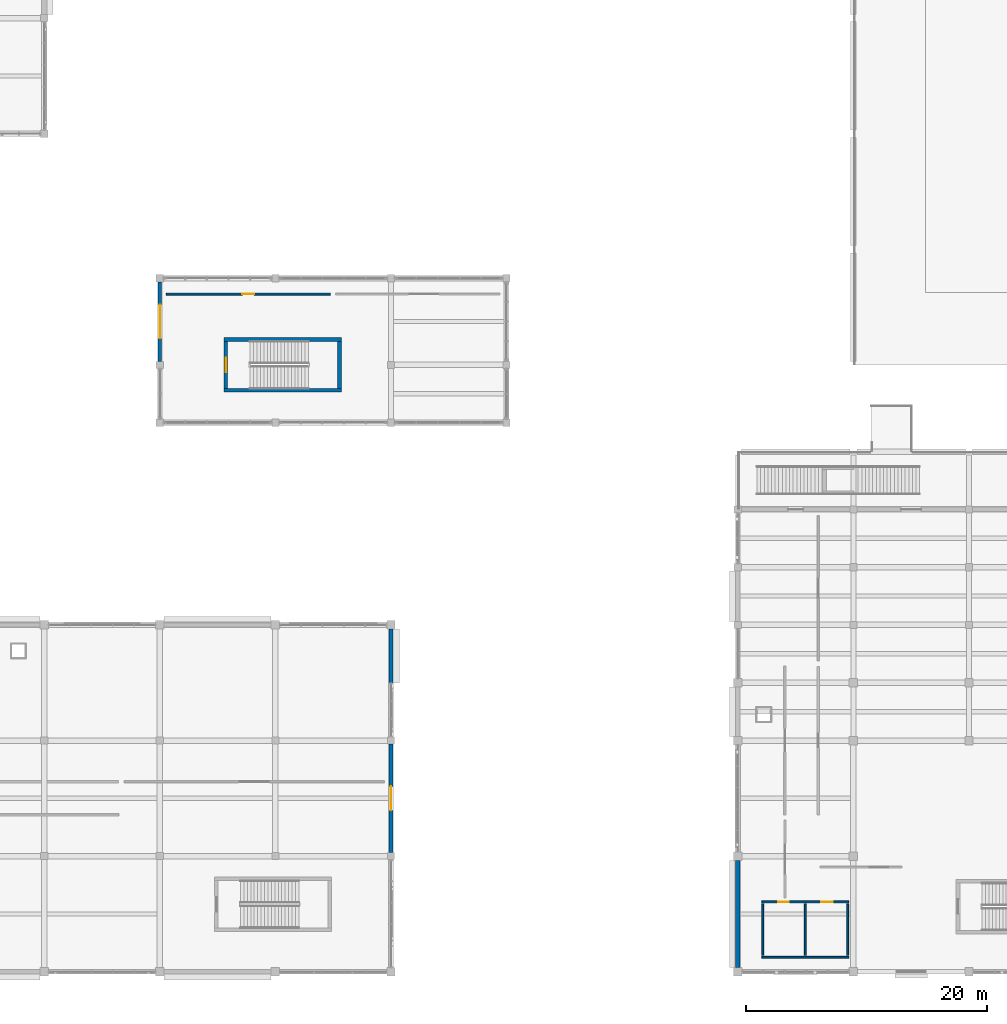
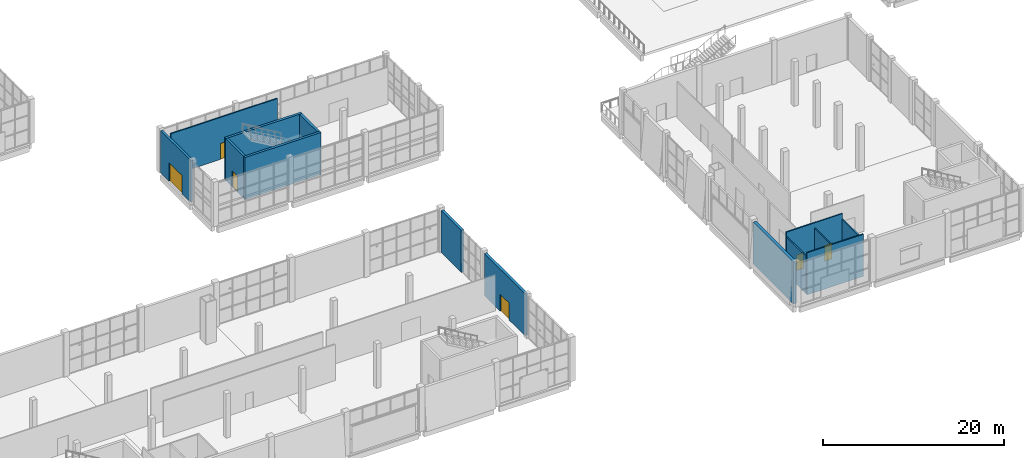
# One storey, part 54 of 84: 14 walls, 6 doors, 6 openings.
"""IFC4 building model written with IfcOpenShell, lengths in metres."""

from ifc_helpers import new_model, si_unit, direction, frame, frame_2d, origin, place, context, subcontext, project, spatial, rectangle, extrude, material, layer, layer_set, type_object, element, fill, save


model = new_model("IFC4")

# Units and contexts
model_context = context("Model", 3, precision=1e-05, world=origin(), true_north=direction((0.0, 1.0)))
body_context = subcontext(model_context, "Body", "Model", "MODEL_VIEW")
ifc_project = project(units=[si_unit("LENGTHUNIT", "METRE"), si_unit("AREAUNIT", "SQUARE_METRE"), si_unit("VOLUMEUNIT", "CUBIC_METRE"), si_unit("PLANEANGLEUNIT", "RADIAN"), si_unit("MASSUNIT", "GRAM", prefix="KILO")], contexts=[model_context])

# Site, building, storey
site_placement = place(None, origin())
site = spatial("IfcSite", under=ifc_project, at=site_placement, CompositionType="ELEMENT")
building_placement = place(site_placement, origin())
building = spatial("IfcBuilding", under=site, at=building_placement, Name="Shalvenor Court Art Gallery", CompositionType="ELEMENT")
storey_placement = place(building_placement, origin())
storey = spatial("IfcBuildingStorey", under=building, at=storey_placement, Name="L00", CompositionType="ELEMENT", Elevation=0.0)

# Walls
ifc_material_1 = material(Name="Concrete C40/50", Category="concrete")
ifc_layer_1 = layer(ifc_material_1, 0.31005859375, Name="Concrete C40/50")
ifc_layer_set_1 = layer_set([ifc_layer_1], Name="Concrete C40/50")
wall_type_1 = type_object("IfcWallType", Name="CW-W2", PredefinedType="SHEAR", material=ifc_layer_set_1)
wall_1_placement = place(storey_placement, frame((53.327880859375, 52.51708984375, 0.0), z_axis=(0.0, 0.0, 1.0), x_axis=(1.0, 0.0, 0.0)))
element("IfcWall", 1, at=wall_1_placement, inside=storey, type_object=wall_type_1, Name="L00 C10 Stair Core Shear Wall N", PredefinedType="SHEAR", context=body_context, shape_type="SweptSolid", body=[
    extrude(rectangle(XDim=9.744140625, YDim=0.31005859375, at=frame_2d((4.8720703125, 0.0))), origin(), (0.0, 0.0, 1.0), 5.679931640625),
])
wall_2_placement = place(storey_placement, frame((62.9169921875, 52.362060546875, 0.0), z_axis=(0.0, 0.0, 1.0), x_axis=(0.0, -1.0, 0.0)))
element("IfcWall", 2, at=wall_2_placement, inside=storey, type_object=wall_type_1, Name="L00 C10 Stair Core Shear Wall E", PredefinedType="SHEAR", context=body_context, shape_type="SweptSolid", body=[
    extrude(rectangle(XDim=3.924072265625, YDim=0.31005859375, at=frame_2d((1.9619140625, 0.0))), origin(), (0.0, 0.0, 1.0), 5.679931640625),
])
wall_3_placement = place(storey_placement, frame((63.072021484375, 48.282958984375, 0.0), z_axis=(0.0, 0.0, 1.0), x_axis=(-1.0, 0.0, 0.0)))
element("IfcWall", 3, at=wall_3_placement, inside=storey, type_object=wall_type_1, Name="L00 C10 Stair Core Shear Wall S", PredefinedType="SHEAR", context=body_context, shape_type="SweptSolid", body=[
    extrude(rectangle(XDim=9.744140625, YDim=0.31005859375, at=frame_2d((4.8720703125, 0.0))), origin(), (0.0, 0.0, 1.0), 5.679931640625),
])

# Wall, opening, door
wall_4_placement = place(storey_placement, frame((53.48291015625, 48.43798828125, 0.0), z_axis=(0.0, 0.0, 1.0), x_axis=(0.0, 1.0, 0.0)))
wall_4 = element("IfcWall", 4, at=wall_4_placement, inside=storey, type_object=wall_type_1, Name="L00 C10 Stair Core Shear Wall W", PredefinedType="SHEAR", context=body_context, shape_type="SweptSolid", body=[
    extrude(rectangle(XDim=3.924072265625, YDim=0.31005859375, at=frame_2d((1.9619140625, 0.0))), origin(), (0.0, 0.0, 1.0), 5.679931640625),
])
opening_1_placement = place(wall_4_placement, frame((1.362060546875, 0.0, 0.0)))
opening_1 = element("IfcOpeningElement", 5, at=opening_1_placement, cuts=wall_4, Name="Opening FD-01", PredefinedType="OPENING", context=body_context, shape_type="SweptSolid", body=[
    extrude(rectangle(XDim=1.199951171875, YDim=2.199951171875, at=frame_2d((0.60009765625, 1.10009765625))), frame((0.0, 0.1650390625, 0.0), z_axis=(0.0, -1.0, 0.0), x_axis=(1.0, 0.0, 0.0)), (0.0, 0.0, 1.0), 0.330078125),
])
ifc_material_2 = material(Name="Fire-rated steel stair doorset", Category="steel")
door_type_1 = type_object("IfcDoorType", Name="FD-01", OperationType="NOTDEFINED", PredefinedType="DOOR", material=ifc_material_2)
door_1_placement = place(opening_1_placement, origin())
door_1 = element("IfcDoor", 6, at=door_1_placement, inside=storey, type_object=door_type_1, Name="DR-ST-L00-C10 L00 ST-10 Fire Stair Door", OperationType="SINGLE_SWING_RIGHT", OverallHeight=2.199951171875, OverallWidth=1.199951171875, PredefinedType="DOOR", context=body_context, shape_type="SweptSolid", body=[
    extrude(rectangle(XDim=1.199951171875, YDim=2.199951171875, at=frame_2d((0.60009765625, 1.10009765625))), frame((0.0, 0.02490234375, 0.0), z_axis=(0.0, -1.0, 0.0), x_axis=(1.0, 0.0, 0.0)), (0.0, 0.0, 1.0), 0.050048828125),
])
fill(opening_1, door_1)

# Walls
ifc_material_3 = material(Name="Concrete C40/50", Category="concrete")
ifc_layer_2 = layer(ifc_material_3, 0.3798828125, Name="Concrete C40/50")
ifc_layer_set_2 = layer_set([ifc_layer_2], Name="Concrete C40/50")
wall_type_2 = type_object("IfcWallType", Name="EW-03", PredefinedType="SOLIDWALL", material=ifc_layer_set_2)
wall_5_placement = place(storey_placement, frame((96.0, 0.35009765625, 0.0), z_axis=(0.0, 0.0, 1.0), x_axis=(0.0, 1.0, 0.0)))
element("IfcWall", 7, at=wall_5_placement, inside=storey, type_object=wall_type_2, Name="L00 V3 Exterior Wall WL-L00-0185", PredefinedType="SOLIDWALL", context=body_context, shape_type="SweptSolid", body=[
    extrude(rectangle(XDim=8.89990234375, YDim=0.3798828125, at=frame_2d((4.449951171875, 0.0))), origin(), (0.0, 0.0, 1.0), 5.679931640625),
])
ifc_material_4 = material(Name="Concrete C40/50", Category="concrete")
ifc_layer_3 = layer(ifc_material_4, 0.340087890625, Name="Concrete C40/50")
ifc_layer_set_3 = layer_set([ifc_layer_3], Name="Concrete C40/50")
wall_type_3 = type_object("IfcWallType", Name="EW-04", PredefinedType="SOLIDWALL", material=ifc_layer_set_3)
wall_6_placement = place(storey_placement, frame((67.199951171875, 28.449951171875, 0.0), z_axis=(0.0, 0.0, 1.0), x_axis=(0.0, -1.0, 0.0)))
element("IfcWall", 8, at=wall_6_placement, inside=storey, type_object=wall_type_3, Name="L00 V4 Exterior Wall WL-L00-0242", PredefinedType="SOLIDWALL", context=body_context, shape_type="SweptSolid", body=[
    extrude(rectangle(XDim=4.449951171875, YDim=0.340087890625, at=frame_2d((2.22509765625, 0.0))), origin(), (0.0, 0.0, 1.0), 5.679931640625),
])

# Wall, opening, door
wall_7_placement = place(storey_placement, frame((67.199951171875, 18.89990234375, 0.0), z_axis=(0.0, 0.0, 1.0), x_axis=(0.0, -1.0, 0.0)))
wall_7 = element("IfcWall", 9, at=wall_7_placement, inside=storey, type_object=wall_type_3, Name="L00 V4 Exterior Wall WL-L00-0243", PredefinedType="SOLIDWALL", context=body_context, shape_type="SweptSolid", body=[
    extrude(rectangle(XDim=9.0, YDim=0.340087890625, at=frame_2d((4.5, 0.0))), origin(), (0.0, 0.0, 1.0), 5.679931640625),
])
opening_2_placement = place(wall_7_placement, frame((3.5, 0.0, 0.0)))
opening_2 = element("IfcOpeningElement", 10, at=opening_2_placement, cuts=wall_7, Name="Opening ED-03", PredefinedType="OPENING", context=body_context, shape_type="SweptSolid", body=[
    extrude(rectangle(XDim=2.0, YDim=2.300048828125, at=frame_2d((1.0, 1.14990234375))), frame((0.0, 0.179931640625, 0.0), z_axis=(0.0, -1.0, 0.0), x_axis=(1.0, 0.0, 0.0)), (0.0, 0.0, 1.0), 0.360107421875),
])
ifc_material_5 = material(Name="Anodised bronze glazed exit doorset", Category="aluminium")
door_type_2 = type_object("IfcDoorType", Name="ED-03", OperationType="NOTDEFINED", PredefinedType="DOOR", material=ifc_material_5)
door_2_placement = place(opening_2_placement, origin())
door_2 = element("IfcDoor", 11, at=door_2_placement, inside=storey, type_object=door_type_2, Name="DR-EX-18 L00 Pedestrian Final Exit Door", OperationType="DOUBLE_DOOR_SINGLE_SWING", OverallHeight=2.300048828125, OverallWidth=2.0, PredefinedType="DOOR", context=body_context, shape_type="SweptSolid", body=[
    extrude(rectangle(XDim=2.0, YDim=2.300048828125, at=frame_2d((1.0, 1.14990234375))), frame((0.0, 0.02490234375, 0.0), z_axis=(0.0, -1.0, 0.0), x_axis=(1.0, 0.0, 0.0)), (0.0, 0.0, 1.0), 0.050048828125),
])
fill(opening_2, door_2)

ifc_material_6 = material(Name="Concrete C40/50", Category="concrete")
ifc_layer_4 = layer(ifc_material_6, 0.2900390625, Name="Concrete C40/50")
ifc_layer_set_4 = layer_set([ifc_layer_4], Name="Concrete C40/50")
wall_type_4 = type_object("IfcWallType", Name="EW-05", PredefinedType="SOLIDWALL", material=ifc_layer_set_4)
wall_8_placement = place(storey_placement, frame((48.0, 50.699951171875, 0.0), z_axis=(0.0, 0.0, 1.0), x_axis=(0.0, 1.0, 0.0)))
wall_8 = element("IfcWall", 12, at=wall_8_placement, inside=storey, type_object=wall_type_4, Name="L00 V6 Exterior Wall WL-L00-0328", PredefinedType="SOLIDWALL", context=body_context, shape_type="SweptSolid", body=[
    extrude(rectangle(XDim=6.60009765625, YDim=0.2900390625, at=frame_2d((3.300048828125, 0.0))), origin(), (0.0, 0.0, 1.0), 5.679931640625),
])
opening_3_placement = place(wall_8_placement, frame((1.89990234375, 0.0, 0.0)))
opening_3 = element("IfcOpeningElement", 13, at=opening_3_placement, cuts=wall_8, Name="Opening ED-01", PredefinedType="OPENING", context=body_context, shape_type="SweptSolid", body=[
    extrude(rectangle(XDim=2.800048828125, YDim=2.5, at=frame_2d((1.39990234375, 1.25))), frame((0.0, 0.155029296875, 0.0), z_axis=(0.0, -1.0, 0.0), x_axis=(1.0, 0.0, 0.0)), (0.0, 0.0, 1.0), 0.31005859375),
])
ifc_material_7 = material(Name="Anodised bronze glazed exit doorset", Category="aluminium")
door_type_3 = type_object("IfcDoorType", Name="ED-01", OperationType="NOTDEFINED", PredefinedType="DOOR", material=ifc_material_7)
door_3_placement = place(opening_3_placement, origin())
door_3 = element("IfcDoor", 14, at=door_3_placement, inside=storey, type_object=door_type_3, Name="DR-EX-21 L00 Pedestrian Final Exit Door", OperationType="DOUBLE_DOOR_SINGLE_SWING", OverallHeight=2.5, OverallWidth=2.800048828125, PredefinedType="DOOR", context=body_context, shape_type="SweptSolid", body=[
    extrude(rectangle(XDim=2.800048828125, YDim=2.5, at=frame_2d((1.39990234375, 1.25))), frame((0.0, 0.02490234375, 0.0), z_axis=(0.0, -1.0, 0.0), x_axis=(1.0, 0.0, 0.0)), (0.0, 0.0, 1.0), 0.050048828125),
])
fill(opening_3, door_3)

ifc_material_8 = material(Name="Double-stud acoustic gallery partition", Category="other")
ifc_layer_5 = layer(ifc_material_8, 0.1650390625, Name="Double-stud acoustic gallery partition")
ifc_layer_set_5 = layer_set([ifc_layer_5], Name="Double-stud acoustic gallery partition")
wall_type_5 = type_object("IfcWallType", Name="PT-02", PredefinedType="PARTITIONING", material=ifc_layer_set_5)
wall_9_placement = place(storey_placement, frame((62.169921875, 56.280029296875, 0.0), z_axis=(0.0, 0.0, 1.0), x_axis=(-1.0, 0.0, 0.0)))
wall_9 = element("IfcWall", 15, at=wall_9_placement, inside=storey, type_object=wall_type_5, Name="L00 Museum Bookshop Partition 618", PredefinedType="PARTITIONING", context=body_context, shape_type="SweptSolid", body=[
    extrude(rectangle(XDim=13.619873046875, YDim=0.1650390625, at=frame_2d((6.81005859375, 0.0))), origin(), (0.0, 0.0, 1.0), 5.679931640625),
])
opening_4_placement = place(wall_9_placement, frame((6.31005859375, 0.0, 0.0)))
opening_4 = element("IfcOpeningElement", 16, at=opening_4_placement, cuts=wall_9, Name="Opening ID-05", PredefinedType="OPENING", context=body_context, shape_type="SweptSolid", body=[
    extrude(rectangle(XDim=1.0, YDim=2.14990234375, at=frame_2d((0.5, 1.074951171875))), frame((0.0, 0.092529296875, 0.0), z_axis=(0.0, -1.0, 0.0), x_axis=(1.0, 0.0, 0.0)), (0.0, 0.0, 1.0), 0.18505859375),
])
ifc_material_9 = material(Name="Timber office single doorset", Category="wood")
door_type_4 = type_object("IfcDoorType", Name="ID-05", OperationType="NOTDEFINED", PredefinedType="DOOR", material=ifc_material_9)
door_4_placement = place(opening_4_placement, origin())
door_4 = element("IfcDoor", 17, at=door_4_placement, inside=storey, type_object=door_type_4, Name="DR-RM-L00-0149 L00 Museum Bookshop Door", OperationType="SINGLE_SWING_RIGHT", OverallHeight=2.14990234375, OverallWidth=1.0, PredefinedType="DOOR", context=body_context, shape_type="SweptSolid", body=[
    extrude(rectangle(XDim=1.0, YDim=2.14990234375, at=frame_2d((0.5, 1.074951171875))), frame((0.0, 0.02490234375, 0.0), z_axis=(0.0, -1.0, 0.0), x_axis=(1.0, 0.0, 0.0)), (0.0, 0.0, 1.0), 0.050048828125),
])
fill(opening_4, door_4)

# Wall, openings, doors
ifc_material_10 = material(Name="Moisture-resistant sanitary partition", Category="other")
ifc_layer_6 = layer(ifc_material_10, 0.14990234375, Name="Moisture-resistant sanitary partition")
ifc_layer_set_6 = layer_set([ifc_layer_6], Name="Moisture-resistant sanitary partition")
wall_type_6 = type_object("IfcWallType", Name="PT-03", PredefinedType="PARTITIONING", material=ifc_layer_set_6)
wall_10_placement = place(storey_placement, frame((98.0, 5.800048828125, 0.0), z_axis=(0.0, 0.0, 1.0), x_axis=(1.0, 0.0, 0.0)))
wall_10 = element("IfcWall", 18, at=wall_10_placement, inside=storey, type_object=wall_type_6, Name="L00 C4 Restroom Front Partition", PredefinedType="PARTITIONING", context=body_context, shape_type="SweptSolid", body=[
    extrude(rectangle(XDim=7.199951171875, YDim=0.14990234375, at=frame_2d((3.60009765625, 0.0))), origin(), (0.0, 0.0, 1.0), 5.679931640625),
])
opening_5_placement = place(wall_10_placement, frame((1.35009765625, 0.0, 0.0)))
opening_5 = element("IfcOpeningElement", 19, at=opening_5_placement, cuts=wall_10, Name="Opening ID-07", PredefinedType="OPENING", context=body_context, shape_type="SweptSolid", body=[
    extrude(rectangle(XDim=0.89990234375, YDim=2.10009765625, at=frame_2d((0.449951171875, 1.050048828125))), frame((0.0, 0.0849609375, 0.0), z_axis=(0.0, -1.0, 0.0), x_axis=(1.0, 0.0, 0.0)), (0.0, 0.0, 1.0), 0.169921875),
])
opening_6_placement = place(wall_10_placement, frame((4.925048828125, 0.0, 0.0)))
opening_6 = element("IfcOpeningElement", 20, at=opening_6_placement, cuts=wall_10, Name="Opening ID-06", PredefinedType="OPENING", context=body_context, shape_type="SweptSolid", body=[
    extrude(rectangle(XDim=0.949951171875, YDim=2.14990234375, at=frame_2d((0.47509765625, 1.074951171875))), frame((0.0, 0.0849609375, 0.0), z_axis=(0.0, -1.0, 0.0), x_axis=(1.0, 0.0, 0.0)), (0.0, 0.0, 1.0), 0.169921875),
])
ifc_material_11 = material(Name="Accessible restroom doorset", Category="steel")
door_type_5 = type_object("IfcDoorType", Name="ID-06", OperationType="NOTDEFINED", PredefinedType="DOOR", material=ifc_material_11)
door_5_placement = place(opening_6_placement, origin())
door_5 = element("IfcDoor", 21, at=door_5_placement, inside=storey, type_object=door_type_5, Name="DR-AWC-L00-C4-2 L00 C4 Accessible Restroom Door", OperationType="SINGLE_SWING_LEFT", OverallHeight=2.14990234375, OverallWidth=0.949951171875, PredefinedType="DOOR", context=body_context, shape_type="SweptSolid", body=[
    extrude(rectangle(XDim=0.949951171875, YDim=2.14990234375, at=frame_2d((0.47509765625, 1.074951171875))), frame((0.0, 0.02490234375, 0.0), z_axis=(0.0, -1.0, 0.0), x_axis=(1.0, 0.0, 0.0)), (0.0, 0.0, 1.0), 0.050048828125),
])
fill(opening_6, door_5)
ifc_material_12 = material(Name="Restroom timber doorset", Category="wood")
door_type_6 = type_object("IfcDoorType", Name="ID-07", OperationType="NOTDEFINED", PredefinedType="DOOR", material=ifc_material_12)
door_6_placement = place(opening_5_placement, origin())
door_6 = element("IfcDoor", 22, at=door_6_placement, inside=storey, type_object=door_type_6, Name="DR-WC-L00-C4-1 L00 C4 Public Restroom Door", OperationType="SINGLE_SWING_RIGHT", OverallHeight=2.10009765625, OverallWidth=0.89990234375, PredefinedType="DOOR", context=body_context, shape_type="SweptSolid", body=[
    extrude(rectangle(XDim=0.89990234375, YDim=2.10009765625, at=frame_2d((0.449951171875, 1.050048828125))), frame((0.0, 0.02490234375, 0.0), z_axis=(0.0, -1.0, 0.0), x_axis=(1.0, 0.0, 0.0)), (0.0, 0.0, 1.0), 0.050048828125),
])
fill(opening_5, door_6)

# Walls
wall_11_placement = place(storey_placement, frame((98.0, 1.199951171875, 0.0), z_axis=(0.0, 0.0, 1.0), x_axis=(1.0, 0.0, 0.0)))
element("IfcWall", 23, at=wall_11_placement, inside=storey, type_object=wall_type_6, Name="L00 C4 Restroom Back Partition", PredefinedType="PARTITIONING", context=body_context, shape_type="SweptSolid", body=[
    extrude(rectangle(XDim=7.199951171875, YDim=0.14990234375, at=frame_2d((3.60009765625, 0.0))), origin(), (0.0, 0.0, 1.0), 5.679931640625),
])
for number, where, z_axis, x_axis, name in (
    (24, (98.074951171875, 1.360107421875, 0.0), (0.0, 0.0, 1.0), (0.0, 1.0, 0.0), "L00 C4 Restroom Partition L"),
    (25, (101.60009765625, 1.360107421875, 0.0), (0.0, 0.0, 1.0), (0.0, 1.0, 0.0), "L00 C4 Restroom Partition M"),
    (26, (105.125, 1.360107421875, 0.0), (0.0, 0.0, 1.0), (0.0, 1.0, 0.0), "L00 C4 Restroom Partition R"),
):
    element("IfcWall", number, at=place(storey_placement, frame(where, z_axis=z_axis, x_axis=x_axis)), inside=storey, type_object=wall_type_6, Name=name, PredefinedType="PARTITIONING", context=body_context, shape_type="SweptSolid", body=[
        extrude(rectangle(XDim=4.27978515625, YDim=0.14990234375, at=frame_2d((2.139892578125, 0.0))), origin(), (0.0, 0.0, 1.0), 5.054931640625),
    ])

save(model, "model.ifc")
